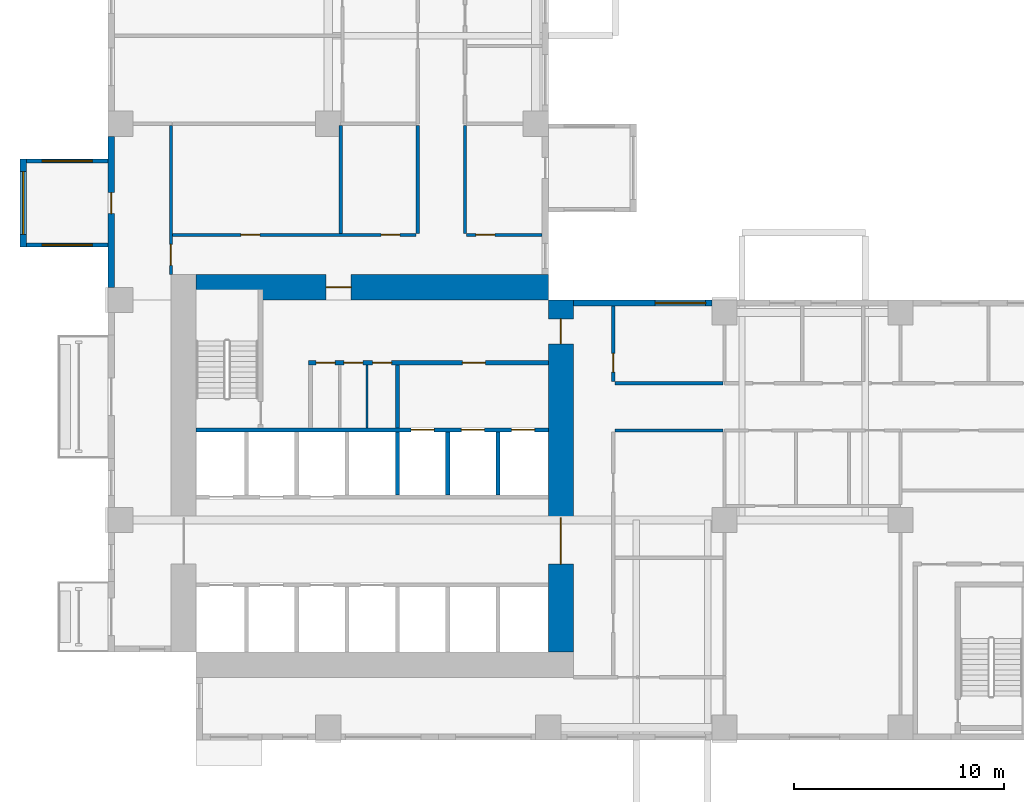
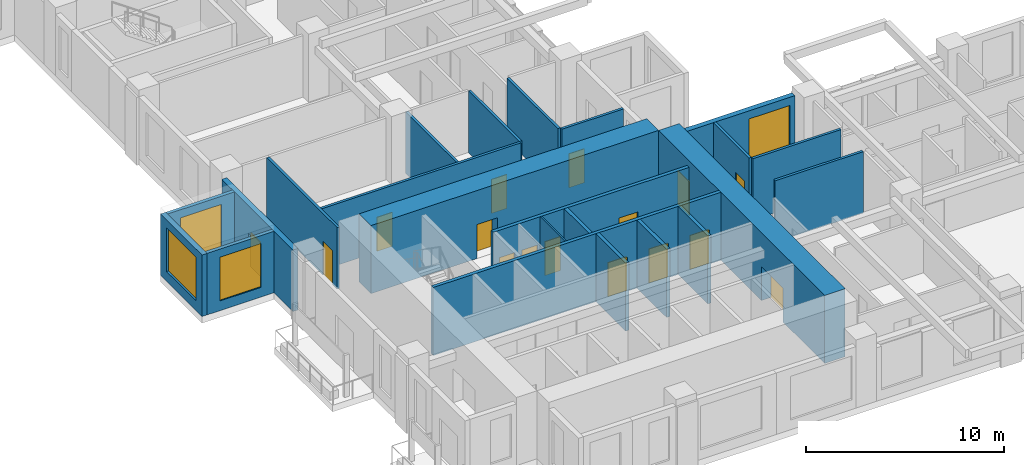
# One storey, part 3 of 15: 23 walls, 16 doors, 4 windows, 20 openings.
"""IFC4 building model written with IfcOpenShell, lengths in metres."""

from ifc_helpers import new_model, si_unit, direction, frame, frame_2d, origin, place, context, subcontext, project, spatial, rectangle, extrude, source, transform, mapped, material, layer, layer_set, type_object, element, fill, save


model = new_model("IFC4")

# Units and contexts
model_context = context("Model", 3, precision=1e-05, world=origin(), true_north=direction((0.0, 1.0)))
body_context = subcontext(model_context, "Body", "Model", "MODEL_VIEW")
ifc_project = project(units=[si_unit("LENGTHUNIT", "METRE"), si_unit("AREAUNIT", "SQUARE_METRE"), si_unit("VOLUMEUNIT", "CUBIC_METRE"), si_unit("PLANEANGLEUNIT", "RADIAN"), si_unit("MASSUNIT", "GRAM", prefix="KILO")], contexts=[model_context])

# Site, building, storey
site_placement = place(None, origin())
site = spatial("IfcSite", under=ifc_project, at=site_placement, CompositionType="ELEMENT")
building_placement = place(site_placement, origin())
building = spatial("IfcBuilding", under=site, at=building_placement, Name="Aurelian Terraces", CompositionType="ELEMENT")
storey_placement = place(building_placement, frame((0.0, 0.0, 61.5)))
storey = spatial("IfcBuildingStorey", under=building, at=storey_placement, Name="L12", CompositionType="ELEMENT", Elevation=61.5)

# Wall, openings, doors
ifc_material_1 = material(Name="Gypsum board on steel studs", Category="steel")
ifc_layer_1 = layer(ifc_material_1, 0.15)
ifc_layer_set_1 = layer_set([ifc_layer_1], Name="Partition 150")
wall_type_1 = type_object("IfcWallType", Name="Partition 150", PredefinedType="PARTITIONING", material=ifc_layer_set_1)
wall_1_placement = place(storey_placement, frame((3.075, 24.1, 0.0), z_axis=(0.0, 0.0, 1.0), x_axis=(1.0, 0.0, 0.0)))
wall_1 = element("IfcWall", 1, at=wall_1_placement, inside=storey, type_object=wall_type_1, Name="Partition", PredefinedType="PARTITIONING", context=body_context, shape_type="SweptSolid", body=[
    extrude(rectangle(XDim=11.625, YDim=0.15, at=frame_2d((5.8125, 0.0))), origin(), (0.0, 0.0, 1.0), 3.8),
])
shared_shape_1 = source(origin(), body_context, "Body", "SweptSolid", [
    extrude(rectangle(XDim=0.9, YDim=2.1, at=frame_2d((0.45, 1.05))), frame((0.0, 0.085, 0.0), z_axis=(0.0, -1.0, 0.0), x_axis=(1.0, 0.0, 0.0)), (0.0, 0.0, 1.0), 0.17),
])
opening_1_placement = place(wall_1_placement, frame((3.2625, 0.0, 0.0)))
opening_1 = element("IfcOpeningElement", 2, at=opening_1_placement, cuts=wall_1, Name="Opening 712029", PredefinedType="OPENING", context=body_context, shape_type="MappedRepresentation", body=[
    mapped(shared_shape_1, transform((0.0, 0.0, 0.0), scale=1.0)),
])
opening_2_placement = place(wall_1_placement, frame((9.95, 0.0, 0.0)))
opening_2 = element("IfcOpeningElement", 3, at=opening_2_placement, cuts=wall_1, Name="Opening 712030", PredefinedType="OPENING", context=body_context, shape_type="MappedRepresentation", body=[
    mapped(shared_shape_1, transform((0.0, 0.0, 0.0), scale=1.0)),
])
ifc_material_2 = material(Name="Timber door leaf", Category="wood")
door_type_1 = type_object("IfcDoorType", Name="Room door 900x2100 right", OperationType="SINGLE_SWING_RIGHT", PredefinedType="DOOR", material=ifc_material_2)
shared_shape_2 = source(origin(), body_context, "Body", "SweptSolid", [
    extrude(rectangle(XDim=0.9, YDim=2.1, at=frame_2d((0.45, 1.05))), frame((0.0, 0.025, 0.0), z_axis=(0.0, -1.0, 0.0), x_axis=(1.0, 0.0, 0.0)), (0.0, 0.0, 1.0), 0.05),
])
door_1_placement = place(opening_1_placement, origin())
door_1 = element("IfcDoor", 4, at=door_1_placement, inside=storey, type_object=door_type_1, Name="Door 712029", OperationType="SINGLE_SWING_RIGHT", OverallHeight=2.1, OverallWidth=0.9, PredefinedType="DOOR", context=body_context, shape_type="MappedRepresentation", body=[
    mapped(shared_shape_2, transform((0.0, 0.0, 0.0), scale=1.0)),
])
fill(opening_1, door_1)
door_type_2 = type_object("IfcDoorType", Name="Room door 900x2100 left", OperationType="SINGLE_SWING_LEFT", PredefinedType="DOOR", material=ifc_material_2)
door_2_placement = place(opening_2_placement, origin())
door_2 = element("IfcDoor", 5, at=door_2_placement, inside=storey, type_object=door_type_2, Name="Door 712030", OperationType="SINGLE_SWING_LEFT", OverallHeight=2.1, OverallWidth=0.9, PredefinedType="DOOR", context=body_context, shape_type="MappedRepresentation", body=[
    mapped(shared_shape_2, transform((0.0, 0.0, 0.0), scale=1.0)),
])
fill(opening_2, door_2)

ifc_material_3 = material(Name="Concrete fc' 83 MPa", Category="concrete")
ifc_layer_2 = layer(ifc_material_3, 1.2)
ifc_layer_set_2 = layer_set([ifc_layer_2], Name="CORE WALL 1200 FC83")
wall_type_2 = type_object("IfcWallType", Name="CORE WALL 1200 FC83", PredefinedType="SHEAR", material=ifc_layer_set_2)
shared_shape_3 = source(origin(), body_context, "Body", "SweptSolid", [
    extrude(rectangle(XDim=16.8, YDim=1.2, at=frame_2d((8.4, 0.0))), origin(), (0.0, 0.0, 1.0), 4.2),
])
wall_2_placement = place(storey_placement, frame((21.6, 4.2, 0.0), z_axis=(0.0, 0.0, 1.0), x_axis=(0.0, 1.0, 0.0)))
wall_2 = element("IfcWall", 6, at=wall_2_placement, inside=storey, type_object=wall_type_2, Name="Core wall E L12", PredefinedType="SHEAR", context=body_context, shape_type="MappedRepresentation", body=[
    mapped(shared_shape_3, transform((0.0, 0.0, 0.0), scale=1.0)),
])
shared_shape_4 = source(origin(), body_context, "Body", "SweptSolid", [
    extrude(rectangle(XDim=2.2, YDim=2.1, at=frame_2d((1.1, 1.05))), frame((0.0, 0.61, 0.0), z_axis=(0.0, -1.0, 0.0), x_axis=(1.0, 0.0, 0.0)), (0.0, 0.0, 1.0), 1.22),
])
opening_3_placement = place(wall_2_placement, frame((4.2, 0.0, 0.0)))
opening_3 = element("IfcOpeningElement", 7, at=opening_3_placement, cuts=wall_2, Name="Opening 61521", PredefinedType="OPENING", context=body_context, shape_type="MappedRepresentation", body=[
    mapped(shared_shape_4, transform((0.0, 0.0, 0.0), scale=1.0)),
])
shared_shape_5 = source(origin(), body_context, "Body", "SweptSolid", [
    extrude(rectangle(XDim=1.2, YDim=2.1, at=frame_2d((0.6, 1.05))), frame((0.0, 0.61, 0.0), z_axis=(0.0, -1.0, 0.0), x_axis=(1.0, 0.0, 0.0)), (0.0, 0.0, 1.0), 1.22),
])
opening_4_placement = place(wall_2_placement, frame((14.7, 0.0, 0.0)))
opening_4 = element("IfcOpeningElement", 8, at=opening_4_placement, cuts=wall_2, Name="Opening 61524", PredefinedType="OPENING", context=body_context, shape_type="MappedRepresentation", body=[
    mapped(shared_shape_5, transform((0.0, 0.0, 0.0), scale=1.0)),
])
ifc_material_4 = material(Name="Steel door leaf", Category="steel")
door_type_3 = type_object("IfcDoorType", Name="Core fire door 1200x2100", OperationType="SINGLE_SWING_LEFT", PredefinedType="DOOR", material=ifc_material_4)
shared_shape_6 = source(origin(), body_context, "Body", "SweptSolid", [
    extrude(rectangle(XDim=1.2, YDim=2.1, at=frame_2d((0.6, 1.05))), frame((0.0, 0.025, 0.0), z_axis=(0.0, -1.0, 0.0), x_axis=(1.0, 0.0, 0.0)), (0.0, 0.0, 1.0), 0.05),
])
door_3_placement = place(opening_4_placement, origin())
door_3 = element("IfcDoor", 9, at=door_3_placement, inside=storey, type_object=door_type_3, Name="Core door 61524", OperationType="SINGLE_SWING_LEFT", OverallHeight=2.1, OverallWidth=1.2, PredefinedType="DOOR", context=body_context, shape_type="MappedRepresentation", body=[
    mapped(shared_shape_6, transform((0.0, 0.0, 0.0), scale=1.0)),
])
fill(opening_4, door_3)
door_type_4 = type_object("IfcDoorType", Name="Core double door 2200x2100", OperationType="DOUBLE_DOOR_SINGLE_SWING", PredefinedType="DOOR", material=ifc_material_4)
shared_shape_7 = source(origin(), body_context, "Body", "SweptSolid", [
    extrude(rectangle(XDim=2.2, YDim=2.1, at=frame_2d((1.1, 1.05))), frame((0.0, 0.025, 0.0), z_axis=(0.0, -1.0, 0.0), x_axis=(1.0, 0.0, 0.0)), (0.0, 0.0, 1.0), 0.05),
])
door_4_placement = place(opening_3_placement, origin())
door_4 = element("IfcDoor", 10, at=door_4_placement, inside=storey, type_object=door_type_4, Name="Core door 61521", OperationType="DOUBLE_DOOR_SINGLE_SWING", OverallHeight=2.1, OverallWidth=2.2, PredefinedType="DOOR", context=body_context, shape_type="MappedRepresentation", body=[
    mapped(shared_shape_7, transform((0.0, 0.0, 0.0), scale=1.0)),
])
fill(opening_3, door_4)

# Wall, opening, door
wall_3_placement = place(storey_placement, frame((4.2, 21.6, 0.0), z_axis=(0.0, 0.0, 1.0), x_axis=(1.0, 0.0, 0.0)))
wall_3 = element("IfcWall", 11, at=wall_3_placement, inside=storey, type_object=wall_type_2, Name="Core wall N L12", PredefinedType="SHEAR", context=body_context, shape_type="MappedRepresentation", body=[
    mapped(shared_shape_3, transform((0.0, 0.0, 0.0), scale=1.0)),
])
opening_5_placement = place(wall_3_placement, frame((6.2, 0.0, 0.0)))
opening_5 = element("IfcOpeningElement", 12, at=opening_5_placement, cuts=wall_3, Name="Opening 61523", PredefinedType="OPENING", context=body_context, shape_type="MappedRepresentation", body=[
    mapped(shared_shape_5, transform((0.0, 0.0, 0.0), scale=1.0)),
])
door_type_5 = type_object("IfcDoorType", Name="Core fire door 1200x2100 right", OperationType="SINGLE_SWING_RIGHT", PredefinedType="DOOR", material=ifc_material_4)
door_5_placement = place(opening_5_placement, origin())
door_5 = element("IfcDoor", 13, at=door_5_placement, inside=storey, type_object=door_type_5, Name="Core door 61523", OperationType="SINGLE_SWING_RIGHT", OverallHeight=2.1, OverallWidth=1.2, PredefinedType="DOOR", context=body_context, shape_type="MappedRepresentation", body=[
    mapped(shared_shape_6, transform((0.0, 0.0, 0.0), scale=1.0)),
])
fill(opening_5, door_5)

ifc_material_5 = material(Name="Terracotta rainscreen cladding", Category="masonry")
ifc_layer_3 = layer(ifc_material_5, 0.3)
ifc_layer_set_3 = layer_set([ifc_layer_3], Name="EW-300")
wall_type_3 = type_object("IfcWallType", Name="EW-300", PredefinedType="STANDARD", material=ifc_layer_set_3)
shared_shape_8 = source(origin(), body_context, "Body", "SweptSolid", [
    extrude(rectangle(XDim=7.2, YDim=0.3, at=frame_2d((3.6, 0.0))), origin(), (0.0, 0.0, 1.0), 3.8),
])
wall_4_placement = place(storey_placement, frame((0.15, 28.8, 0.0), z_axis=(0.0, 0.0, 1.0), x_axis=(0.0, -1.0, 0.0)))
wall_4 = element("IfcWall", 14, at=wall_4_placement, inside=storey, type_object=wall_type_3, Name="External wall L12 F14.38", PredefinedType="STANDARD", context=body_context, shape_type="MappedRepresentation", body=[
    mapped(shared_shape_8, transform((0.0, 0.0, 0.0), scale=1.0)),
])
shared_shape_9 = source(origin(), body_context, "Body", "SweptSolid", [
    extrude(rectangle(XDim=1.0, YDim=2.1, at=frame_2d((0.5, 1.05))), frame((0.0, 0.16, 0.0), z_axis=(0.0, -1.0, 0.0), x_axis=(1.0, 0.0, 0.0)), (0.0, 0.0, 1.0), 0.32),
])
opening_6_placement = place(wall_4_placement, frame((2.68, 0.0, 0.0)))
opening_6 = element("IfcOpeningElement", 15, at=opening_6_placement, cuts=wall_4, Name="Opening 812003", PredefinedType="OPENING", context=body_context, shape_type="MappedRepresentation", body=[
    mapped(shared_shape_9, transform((0.0, 0.0, 0.0), scale=1.0)),
])
door_type_6 = type_object("IfcDoorType", Name="Room door 1000x2100 left", OperationType="SINGLE_SWING_LEFT", PredefinedType="DOOR", material=ifc_material_2)
shared_shape_10 = source(origin(), body_context, "Body", "SweptSolid", [
    extrude(rectangle(XDim=1.0, YDim=2.1, at=frame_2d((0.5, 1.05))), frame((0.0, 0.025, 0.0), z_axis=(0.0, -1.0, 0.0), x_axis=(1.0, 0.0, 0.0)), (0.0, 0.0, 1.0), 0.05),
])
door_6_placement = place(opening_6_placement, origin())
door_6 = element("IfcDoor", 16, at=door_6_placement, inside=storey, type_object=door_type_6, Name="Door 812003", OperationType="SINGLE_SWING_LEFT", OverallHeight=2.1, OverallWidth=1.0, PredefinedType="DOOR", context=body_context, shape_type="MappedRepresentation", body=[
    mapped(shared_shape_10, transform((0.0, 0.0, 0.0), scale=1.0)),
])
fill(opening_6, door_6)

# Wall, opening, window
ifc_material_6 = material(Name="Concrete fc' 40 MPa", Category="concrete")
ifc_layer_4 = layer(ifc_material_6, 0.2)
ifc_layer_set_4 = layer_set([ifc_layer_4], Name="BOX BEARING WALL 200")
wall_type_4 = type_object("IfcWallType", Name="BOX BEARING WALL 200", PredefinedType="SOLIDWALL", material=ifc_layer_set_4)
shared_shape_11 = source(origin(), body_context, "Body", "SweptSolid", [
    extrude(rectangle(XDim=3.9, YDim=0.2, at=frame_2d((1.95, 0.0))), origin(), (0.0, 0.0, 1.0), 3.8),
])
wall_5_placement = place(storey_placement, frame((0.0, 27.62, 0.0), z_axis=(0.0, 0.0, 1.0), x_axis=(-1.0, 0.0, 0.0)))
wall_5 = element("IfcWall", 17, at=wall_5_placement, inside=storey, type_object=wall_type_4, Name="Box return L12 J09.1", PredefinedType="SOLIDWALL", context=body_context, shape_type="MappedRepresentation", body=[
    mapped(shared_shape_11, transform((0.0, 0.0, 0.0), scale=1.0)),
])
shared_shape_12 = source(origin(), body_context, "Body", "SweptSolid", [
    extrude(rectangle(XDim=2.4, YDim=2.7, at=frame_2d((1.2, 1.35))), frame((0.0, 0.11, 0.0), z_axis=(0.0, -1.0, 0.0), x_axis=(1.0, 0.0, 0.0)), (0.0, 0.0, 1.0), 0.22),
])
opening_7_placement = place(wall_5_placement, frame((0.75, 0.0, 0.6)))
opening_7 = element("IfcOpeningElement", 18, at=opening_7_placement, cuts=wall_5, Name="Opening W2427", PredefinedType="OPENING", context=body_context, shape_type="MappedRepresentation", body=[
    mapped(shared_shape_12, transform((0.0, 0.0, 0.0), scale=1.0)),
])
ifc_material_7 = material(Name="Clear glazing", Category="glass")
window_type_1 = type_object("IfcWindowType", Name="W-2400x2700", PartitioningType="SINGLE_PANEL", PredefinedType="WINDOW", material=ifc_material_7)
shared_shape_13 = source(origin(), body_context, "Body", "SweptSolid", [
    extrude(rectangle(XDim=2.4, YDim=2.7, at=frame_2d((1.2, 1.35))), frame((0.0, 0.03, 0.0), z_axis=(0.0, -1.0, 0.0), x_axis=(1.0, 0.0, 0.0)), (0.0, 0.0, 1.0), 0.06),
])
window_1_placement = place(opening_7_placement, origin())
window_1 = element("IfcWindow", 19, at=window_1_placement, inside=storey, type_object=window_type_1, Name="Window L12 J09-S1", OverallHeight=2.7, OverallWidth=2.4, PartitioningType="SINGLE_PANEL", PredefinedType="WINDOW", context=body_context, shape_type="MappedRepresentation", body=[
    mapped(shared_shape_13, transform((0.0, 0.0, 0.0), scale=1.0)),
])
fill(opening_7, window_1)

wall_6_placement = place(storey_placement, frame((0.0, 23.62, 0.0), z_axis=(0.0, 0.0, 1.0), x_axis=(-1.0, 0.0, 0.0)))
wall_6 = element("IfcWall", 20, at=wall_6_placement, inside=storey, type_object=wall_type_4, Name="Box return L12 J09.2", PredefinedType="SOLIDWALL", context=body_context, shape_type="MappedRepresentation", body=[
    mapped(shared_shape_11, transform((0.0, 0.0, 0.0), scale=1.0)),
])
opening_8_placement = place(wall_6_placement, frame((0.75, 0.0, 0.6)))
opening_8 = element("IfcOpeningElement", 21, at=opening_8_placement, cuts=wall_6, Name="Opening W2427", PredefinedType="OPENING", context=body_context, shape_type="MappedRepresentation", body=[
    mapped(shared_shape_12, transform((0.0, 0.0, 0.0), scale=1.0)),
])
window_2_placement = place(opening_8_placement, origin())
window_2 = element("IfcWindow", 22, at=window_2_placement, inside=storey, type_object=window_type_1, Name="Window L12 J09-S2", OverallHeight=2.7, OverallWidth=2.4, PartitioningType="SINGLE_PANEL", PredefinedType="WINDOW", context=body_context, shape_type="MappedRepresentation", body=[
    mapped(shared_shape_13, transform((0.0, 0.0, 0.0), scale=1.0)),
])
fill(opening_8, window_2)

shared_shape_14 = source(origin(), body_context, "Body", "SweptSolid", [
    extrude(rectangle(XDim=6.6, YDim=0.3, at=frame_2d((3.3, 0.0))), origin(), (0.0, 0.0, 1.0), 3.8),
])
wall_7_placement = place(storey_placement, frame((28.8, 20.85, 0.0), z_axis=(0.0, 0.0, 1.0), x_axis=(-1.0, 0.0, 0.0)))
wall_7 = element("IfcWall", 23, at=wall_7_placement, inside=storey, type_object=wall_type_3, Name="External wall L12 F07.23", PredefinedType="STANDARD", context=body_context, shape_type="MappedRepresentation", body=[
    mapped(shared_shape_14, transform((0.0, 0.0, 0.0), scale=1.0)),
])
shared_shape_15 = source(origin(), body_context, "Body", "SweptSolid", [
    extrude(rectangle(XDim=2.4, YDim=2.7, at=frame_2d((1.2, 1.35))), frame((0.0, 0.16, 0.0), z_axis=(0.0, -1.0, 0.0), x_axis=(1.0, 0.0, 0.0)), (0.0, 0.0, 1.0), 0.32),
])
opening_9_placement = place(wall_7_placement, frame((0.3, 0.0, 0.6)))
opening_9 = element("IfcOpeningElement", 24, at=opening_9_placement, cuts=wall_7, Name="Opening W2427", PredefinedType="OPENING", context=body_context, shape_type="MappedRepresentation", body=[
    mapped(shared_shape_15, transform((0.0, 0.0, 0.0), scale=1.0)),
])
window_3_placement = place(opening_9_placement, origin())
window_3 = element("IfcWindow", 25, at=window_3_placement, inside=storey, type_object=window_type_1, Name="Window L12 L12-F07-23-3", OverallHeight=2.7, OverallWidth=2.4, PartitioningType="SINGLE_PANEL", PredefinedType="WINDOW", context=body_context, shape_type="MappedRepresentation", body=[
    mapped(shared_shape_13, transform((0.0, 0.0, 0.0), scale=1.0)),
])
fill(opening_9, window_3)

ifc_layer_5 = layer(ifc_material_6, 0.3)
ifc_layer_set_5 = layer_set([ifc_layer_5], Name="BOX BEARING WALL 300")
wall_type_5 = type_object("IfcWallType", Name="BOX BEARING WALL 300", PredefinedType="SOLIDWALL", material=ifc_layer_set_5)
shared_shape_16 = source(origin(), body_context, "Body", "SweptSolid", [
    extrude(rectangle(XDim=4.2, YDim=0.3, at=frame_2d((2.1, 0.0))), origin(), (0.0, 0.0, 1.0), 3.8),
])
wall_8_placement = place(storey_placement, frame((-4.05, 27.72, 0.0), z_axis=(0.0, 0.0, 1.0), x_axis=(0.0, -1.0, 0.0)))
wall_8 = element("IfcWall", 26, at=wall_8_placement, inside=storey, type_object=wall_type_5, Name="Box wall L12 J09", PredefinedType="SOLIDWALL", context=body_context, shape_type="MappedRepresentation", body=[
    mapped(shared_shape_16, transform((0.0, 0.0, 0.0), scale=1.0)),
])
shared_shape_17 = source(origin(), body_context, "Body", "SweptSolid", [
    extrude(rectangle(XDim=3.0, YDim=2.7, at=frame_2d((1.5, 1.35))), frame((0.0, 0.16, 0.0), z_axis=(0.0, -1.0, 0.0), x_axis=(1.0, 0.0, 0.0)), (0.0, 0.0, 1.0), 0.32),
])
opening_10_placement = place(wall_8_placement, frame((0.6, 0.0, 0.6)))
opening_10 = element("IfcOpeningElement", 27, at=opening_10_placement, cuts=wall_8, Name="Opening W3027", PredefinedType="OPENING", context=body_context, shape_type="MappedRepresentation", body=[
    mapped(shared_shape_17, transform((0.0, 0.0, 0.0), scale=1.0)),
])
window_type_2 = type_object("IfcWindowType", Name="W-3000x2700", PartitioningType="SINGLE_PANEL", PredefinedType="WINDOW", material=ifc_material_7)
shared_shape_18 = source(origin(), body_context, "Body", "SweptSolid", [
    extrude(rectangle(XDim=3.0, YDim=2.7, at=frame_2d((1.5, 1.35))), frame((0.0, 0.03, 0.0), z_axis=(0.0, -1.0, 0.0), x_axis=(1.0, 0.0, 0.0)), (0.0, 0.0, 1.0), 0.06),
])
window_4_placement = place(opening_10_placement, origin())
window_4 = element("IfcWindow", 28, at=window_4_placement, inside=storey, type_object=window_type_2, Name="Window L12 J09-F1", OverallHeight=2.7, OverallWidth=3.0, PartitioningType="SINGLE_PANEL", PredefinedType="WINDOW", context=body_context, shape_type="MappedRepresentation", body=[
    mapped(shared_shape_18, transform((0.0, 0.0, 0.0), scale=1.0)),
])
fill(opening_10, window_4)

# Walls
ifc_layer_6 = layer(ifc_material_6, 0.2)
ifc_layer_set_6 = layer_set([ifc_layer_6], Name="Lift shaft wall 200")
wall_type_6 = type_object("IfcWallType", Name="Lift shaft wall 200", PredefinedType="SOLIDWALL", material=ifc_layer_set_6)
shared_shape_19 = source(origin(), body_context, "Body", "SweptSolid", [
    extrude(rectangle(XDim=3.0, YDim=0.2, at=frame_2d((1.5, 0.0))), origin(), (0.0, 0.0, 1.0), 4.2),
])
for number, where, z_axis, x_axis, name in (
    (29, (13.8, 11.7, 0.0), (0.0, 0.0, 1.0), (0.0, 1.0, 0.0), "L12 core wall CD-B4"),
    (30, (16.2, 11.7, 0.0), (0.0, 0.0, 1.0), (0.0, 1.0, 0.0), "L12 core wall CD-B5"),
    (31, (18.6, 11.7, 0.0), (0.0, 0.0, 1.0), (0.0, 1.0, 0.0), "L12 core wall CD-B6"),
):
    element("IfcWall", number, at=place(storey_placement, frame(where, z_axis=z_axis, x_axis=x_axis)), inside=storey, type_object=wall_type_6, Name=name, PredefinedType="SOLIDWALL", context=body_context, shape_type="MappedRepresentation", body=[
        mapped(shared_shape_19, transform((0.0, 0.0, 0.0), scale=1.0)),
    ])

# Wall, openings, doors
shared_shape_20 = source(origin(), body_context, "Body", "SweptSolid", [
    extrude(rectangle(XDim=16.8, YDim=0.2, at=frame_2d((8.4, 0.0))), origin(), (0.0, 0.0, 1.0), 4.2),
])
wall_9_placement = place(storey_placement, frame((4.2, 14.8, 0.0), z_axis=(0.0, 0.0, 1.0), x_axis=(1.0, 0.0, 0.0)))
wall_9 = element("IfcWall", 32, at=wall_9_placement, inside=storey, type_object=wall_type_6, Name="L12 core wall CF-BB1", PredefinedType="SOLIDWALL", context=body_context, shape_type="MappedRepresentation", body=[
    mapped(shared_shape_20, transform((0.0, 0.0, 0.0), scale=1.0)),
])
shared_shape_21 = source(origin(), body_context, "Body", "SweptSolid", [
    extrude(rectangle(XDim=1.1, YDim=2.1, at=frame_2d((0.55, 1.05))), frame((0.0, 0.11, 0.0), z_axis=(0.0, -1.0, 0.0), x_axis=(1.0, 0.0, 0.0)), (0.0, 0.0, 1.0), 0.22),
])
opening_11_placement = place(wall_9_placement, frame((10.25, 0.0, 0.0)))
opening_11 = element("IfcOpeningElement", 33, at=opening_11_placement, cuts=wall_9, Name="Opening 61507", PredefinedType="OPENING", context=body_context, shape_type="MappedRepresentation", body=[
    mapped(shared_shape_21, transform((0.0, 0.0, 0.0), scale=1.0)),
])
opening_12_placement = place(wall_9_placement, frame((12.65, 0.0, 0.0)))
opening_12 = element("IfcOpeningElement", 34, at=opening_12_placement, cuts=wall_9, Name="Opening 61508", PredefinedType="OPENING", context=body_context, shape_type="MappedRepresentation", body=[
    mapped(shared_shape_21, transform((0.0, 0.0, 0.0), scale=1.0)),
])
opening_13_placement = place(wall_9_placement, frame((15.05, 0.0, 0.0)))
opening_13 = element("IfcOpeningElement", 35, at=opening_13_placement, cuts=wall_9, Name="Opening 61509", PredefinedType="OPENING", context=body_context, shape_type="MappedRepresentation", body=[
    mapped(shared_shape_21, transform((0.0, 0.0, 0.0), scale=1.0)),
])
ifc_material_8 = material(Name="Stainless steel", Category="steel")
door_type_7 = type_object("IfcDoorType", Name="Lift landing door 1100x2100", OperationType="SLIDING_TO_LEFT", PredefinedType="DOOR", material=ifc_material_8)
shared_shape_22 = source(origin(), body_context, "Body", "SweptSolid", [
    extrude(rectangle(XDim=1.1, YDim=2.1, at=frame_2d((0.55, 1.05))), frame((0.0, 0.025, 0.0), z_axis=(0.0, -1.0, 0.0), x_axis=(1.0, 0.0, 0.0)), (0.0, 0.0, 1.0), 0.05),
])
door_7_placement = place(opening_11_placement, origin())
door_7 = element("IfcDoor", 36, at=door_7_placement, inside=storey, type_object=door_type_7, Name="Lift landing door F1 L12", OperationType="SLIDING_TO_LEFT", OverallHeight=2.1, OverallWidth=1.1, PredefinedType="DOOR", context=body_context, shape_type="MappedRepresentation", body=[
    mapped(shared_shape_22, transform((0.0, 0.0, 0.0), scale=1.0)),
])
fill(opening_11, door_7)
door_8_placement = place(opening_12_placement, origin())
door_8 = element("IfcDoor", 37, at=door_8_placement, inside=storey, type_object=door_type_7, Name="Lift landing door F2 L12", OperationType="SLIDING_TO_LEFT", OverallHeight=2.1, OverallWidth=1.1, PredefinedType="DOOR", context=body_context, shape_type="MappedRepresentation", body=[
    mapped(shared_shape_22, transform((0.0, 0.0, 0.0), scale=1.0)),
])
fill(opening_12, door_8)
door_9_placement = place(opening_13_placement, origin())
door_9 = element("IfcDoor", 38, at=door_9_placement, inside=storey, type_object=door_type_7, Name="Lift landing door F3 L12", OperationType="SLIDING_TO_LEFT", OverallHeight=2.1, OverallWidth=1.1, PredefinedType="DOOR", context=body_context, shape_type="MappedRepresentation", body=[
    mapped(shared_shape_22, transform((0.0, 0.0, 0.0), scale=1.0)),
])
fill(opening_13, door_9)

# Walls
ifc_layer_7 = layer(ifc_material_1, 0.2)
ifc_layer_set_7 = layer_set([ifc_layer_7], Name="Core partition 200")
wall_type_7 = type_object("IfcWallType", Name="Core partition 200", PredefinedType="PARTITIONING", material=ifc_layer_set_7)
shared_shape_23 = source(origin(), body_context, "Body", "SweptSolid", [
    extrude(rectangle(XDim=3.0, YDim=0.2, at=frame_2d((1.5, 0.0))), origin(), (0.0, 0.0, 1.0), 3.8),
])
wall_10_placement = place(storey_placement, frame((13.8, 14.9, 0.0), z_axis=(0.0, 0.0, 1.0), x_axis=(0.0, 1.0, 0.0)))
element("IfcWall", 39, at=wall_10_placement, inside=storey, type_object=wall_type_7, Name="L12 core wall CP-FFL", PredefinedType="PARTITIONING", context=body_context, shape_type="MappedRepresentation", body=[
    mapped(shared_shape_23, transform((0.0, 0.0, 0.0), scale=1.0)),
])
ifc_layer_8 = layer(ifc_material_1, 0.1)
ifc_layer_set_8 = layer_set([ifc_layer_8], Name="Core partition 100")
wall_type_8 = type_object("IfcWallType", Name="Core partition 100", PredefinedType="PARTITIONING", material=ifc_layer_set_8)
shared_shape_24 = source(origin(), body_context, "Body", "SweptSolid", [
    extrude(rectangle(XDim=3.0, YDim=0.1, at=frame_2d((1.5, 0.0))), origin(), (0.0, 0.0, 1.0), 3.8),
])
wall_11_placement = place(storey_placement, frame((12.35, 14.9, 0.0), z_axis=(0.0, 0.0, 1.0), x_axis=(0.0, 1.0, 0.0)))
element("IfcWall", 40, at=wall_11_placement, inside=storey, type_object=wall_type_8, Name="L12 core wall CP-SV2", PredefinedType="PARTITIONING", context=body_context, shape_type="MappedRepresentation", body=[
    mapped(shared_shape_24, transform((0.0, 0.0, 0.0), scale=1.0)),
])

# Wall, openings, doors
shared_shape_25 = source(origin(), body_context, "Body", "SweptSolid", [
    extrude(rectangle(XDim=11.45, YDim=0.2, at=frame_2d((5.725, 0.0))), origin(), (0.0, 0.0, 1.0), 3.8),
])
wall_12_placement = place(storey_placement, frame((9.55, 18.0, 0.0), z_axis=(0.0, 0.0, 1.0), x_axis=(1.0, 0.0, 0.0)))
wall_12 = element("IfcWall", 41, at=wall_12_placement, inside=storey, type_object=wall_type_7, Name="L12 core wall CP-NORTH", PredefinedType="PARTITIONING", context=body_context, shape_type="MappedRepresentation", body=[
    mapped(shared_shape_25, transform((0.0, 0.0, 0.0), scale=1.0)),
])
shared_shape_26 = source(origin(), body_context, "Body", "SweptSolid", [
    extrude(rectangle(XDim=0.9, YDim=2.1, at=frame_2d((0.45, 1.05))), frame((0.0, 0.11, 0.0), z_axis=(0.0, -1.0, 0.0), x_axis=(1.0, 0.0, 0.0)), (0.0, 0.0, 1.0), 0.22),
])
opening_14_placement = place(wall_12_placement, frame((0.375, 0.0, 0.0)))
opening_14 = element("IfcOpeningElement", 42, at=opening_14_placement, cuts=wall_12, Name="Opening 61511", PredefinedType="OPENING", context=body_context, shape_type="MappedRepresentation", body=[
    mapped(shared_shape_26, transform((0.0, 0.0, 0.0), scale=1.0)),
])
opening_15_placement = place(wall_12_placement, frame((1.7, 0.0, 0.0)))
opening_15 = element("IfcOpeningElement", 43, at=opening_15_placement, cuts=wall_12, Name="Opening 61512", PredefinedType="OPENING", context=body_context, shape_type="MappedRepresentation", body=[
    mapped(shared_shape_26, transform((0.0, 0.0, 0.0), scale=1.0)),
])
opening_16_placement = place(wall_12_placement, frame((3.075, 0.0, 0.0)))
opening_16 = element("IfcOpeningElement", 44, at=opening_16_placement, cuts=wall_12, Name="Opening 61513", PredefinedType="OPENING", context=body_context, shape_type="MappedRepresentation", body=[
    mapped(shared_shape_26, transform((0.0, 0.0, 0.0), scale=1.0)),
])
opening_17_placement = place(wall_12_placement, frame((7.35, 0.0, 0.0)))
opening_17 = element("IfcOpeningElement", 45, at=opening_17_placement, cuts=wall_12, Name="Opening 61514", PredefinedType="OPENING", context=body_context, shape_type="MappedRepresentation", body=[
    mapped(shared_shape_21, transform((0.0, 0.0, 0.0), scale=1.0)),
])
door_type_8 = type_object("IfcDoorType", Name="Core riser door 900x2100", OperationType="SINGLE_SWING_LEFT", PredefinedType="DOOR", material=ifc_material_4)
door_10_placement = place(opening_14_placement, origin())
door_10 = element("IfcDoor", 46, at=door_10_placement, inside=storey, type_object=door_type_8, Name="Room door 61511", OperationType="SINGLE_SWING_LEFT", OverallHeight=2.1, OverallWidth=0.9, PredefinedType="DOOR", context=body_context, shape_type="MappedRepresentation", body=[
    mapped(shared_shape_2, transform((0.0, 0.0, 0.0), scale=1.0)),
])
fill(opening_14, door_10)
door_type_9 = type_object("IfcDoorType", Name="Core service door 900x2100 right", OperationType="SINGLE_SWING_RIGHT", PredefinedType="DOOR", material=ifc_material_4)
door_11_placement = place(opening_15_placement, origin())
door_11 = element("IfcDoor", 47, at=door_11_placement, inside=storey, type_object=door_type_9, Name="Room door 61512", OperationType="SINGLE_SWING_RIGHT", OverallHeight=2.1, OverallWidth=0.9, PredefinedType="DOOR", context=body_context, shape_type="MappedRepresentation", body=[
    mapped(shared_shape_2, transform((0.0, 0.0, 0.0), scale=1.0)),
])
fill(opening_15, door_11)
door_type_10 = type_object("IfcDoorType", Name="Core service door 900x2100", OperationType="SINGLE_SWING_LEFT", PredefinedType="DOOR", material=ifc_material_4)
door_12_placement = place(opening_16_placement, origin())
door_12 = element("IfcDoor", 48, at=door_12_placement, inside=storey, type_object=door_type_10, Name="Room door 61513", OperationType="SINGLE_SWING_LEFT", OverallHeight=2.1, OverallWidth=0.9, PredefinedType="DOOR", context=body_context, shape_type="MappedRepresentation", body=[
    mapped(shared_shape_2, transform((0.0, 0.0, 0.0), scale=1.0)),
])
fill(opening_16, door_12)
door_type_11 = type_object("IfcDoorType", Name="Core fire door 1100x2100 right", OperationType="SINGLE_SWING_RIGHT", PredefinedType="DOOR", material=ifc_material_4)
door_13_placement = place(opening_17_placement, origin())
door_13 = element("IfcDoor", 49, at=door_13_placement, inside=storey, type_object=door_type_11, Name="Ff lobby door 61514", OperationType="SINGLE_SWING_RIGHT", OverallHeight=2.1, OverallWidth=1.1, PredefinedType="DOOR", context=body_context, shape_type="MappedRepresentation", body=[
    mapped(shared_shape_22, transform((0.0, 0.0, 0.0), scale=1.0)),
])
fill(opening_17, door_13)

# Walls
ifc_layer_9 = layer(ifc_material_1, 0.15)
ifc_layer_set_9 = layer_set([ifc_layer_9], Name="Fire partition 150")
wall_type_9 = type_object("IfcWallType", Name="Fire partition 150", PredefinedType="PARTITIONING", material=ifc_layer_set_9)
shared_shape_27 = source(origin(), body_context, "Body", "SweptSolid", [
    extrude(rectangle(XDim=5.15, YDim=0.15, at=frame_2d((2.575, 0.0))), origin(), (0.0, 0.0, 1.0), 3.8),
])
for number, where, z_axis, x_axis, name in (
    (50, (29.325, 14.775, 0.0), (0.0, 0.0, 1.0), (-1.0, 0.0, 0.0), "Corridor wall"),
    (51, (24.175, 17.025, 0.0), (0.0, 0.0, 1.0), (1.0, 0.0, 0.0), "Corridor wall"),
):
    element("IfcWall", number, at=place(storey_placement, frame(where, z_axis=z_axis, x_axis=x_axis)), inside=storey, type_object=wall_type_9, Name=name, PredefinedType="PARTITIONING", context=body_context, shape_type="MappedRepresentation", body=[
        mapped(shared_shape_27, transform((0.0, 0.0, 0.0), scale=1.0)),
    ])
wall_13_placement = place(storey_placement, frame((11.1, 24.175, 0.0), z_axis=(0.0, 0.0, 1.0), x_axis=(0.0, 1.0, 0.0)))
element("IfcWall", 52, at=wall_13_placement, inside=storey, type_object=wall_type_1, Name="Partition", PredefinedType="PARTITIONING", context=body_context, shape_type="MappedRepresentation", body=[
    mapped(shared_shape_27, transform((0.0, 0.0, 0.0), scale=1.0)),
])
for number, where, z_axis, x_axis, name in (
    (53, (14.775, 24.175, 0.0), (0.0, 0.0, 1.0), (0.0, 1.0, 0.0), "Corridor wall"),
    (54, (17.025, 29.325, 0.0), (0.0, 0.0, 1.0), (0.0, -1.0, 0.0), "Corridor wall"),
):
    element("IfcWall", number, at=place(storey_placement, frame(where, z_axis=z_axis, x_axis=x_axis)), inside=storey, type_object=wall_type_9, Name=name, PredefinedType="PARTITIONING", context=body_context, shape_type="MappedRepresentation", body=[
        mapped(shared_shape_27, transform((0.0, 0.0, 0.0), scale=1.0)),
    ])

# Wall, opening, door
shared_shape_28 = source(origin(), body_context, "Body", "SweptSolid", [
    extrude(rectangle(XDim=3.6, YDim=0.15, at=frame_2d((1.8, 0.0))), origin(), (0.0, 0.0, 1.0), 3.8),
])
wall_14_placement = place(storey_placement, frame((24.1, 20.7, 0.0), z_axis=(0.0, 0.0, 1.0), x_axis=(0.0, -1.0, 0.0)))
wall_14 = element("IfcWall", 55, at=wall_14_placement, inside=storey, type_object=wall_type_1, Name="Partition", PredefinedType="PARTITIONING", context=body_context, shape_type="MappedRepresentation", body=[
    mapped(shared_shape_28, transform((0.0, 0.0, 0.0), scale=1.0)),
])
opening_18_placement = place(wall_14_placement, frame((2.25, 0.0, 0.0)))
opening_18 = element("IfcOpeningElement", 56, at=opening_18_placement, cuts=wall_14, Name="Opening 712003", PredefinedType="OPENING", context=body_context, shape_type="MappedRepresentation", body=[
    mapped(shared_shape_1, transform((0.0, 0.0, 0.0), scale=1.0)),
])
door_14_placement = place(opening_18_placement, origin())
door_14 = element("IfcDoor", 57, at=door_14_placement, inside=storey, type_object=door_type_1, Name="Door 712003", OperationType="SINGLE_SWING_RIGHT", OverallHeight=2.1, OverallWidth=0.9, PredefinedType="DOOR", context=body_context, shape_type="MappedRepresentation", body=[
    mapped(shared_shape_2, transform((0.0, 0.0, 0.0), scale=1.0)),
])
fill(opening_18, door_14)

wall_15_placement = place(storey_placement, frame((17.1, 24.1, 0.0), z_axis=(0.0, 0.0, 1.0), x_axis=(1.0, 0.0, 0.0)))
wall_15 = element("IfcWall", 58, at=wall_15_placement, inside=storey, type_object=wall_type_1, Name="Partition", PredefinedType="PARTITIONING", context=body_context, shape_type="MappedRepresentation", body=[
    mapped(shared_shape_28, transform((0.0, 0.0, 0.0), scale=1.0)),
])
opening_19_placement = place(wall_15_placement, frame((0.45, 0.0, 0.0)))
opening_19 = element("IfcOpeningElement", 59, at=opening_19_placement, cuts=wall_15, Name="Opening 712031", PredefinedType="OPENING", context=body_context, shape_type="MappedRepresentation", body=[
    mapped(shared_shape_1, transform((0.0, 0.0, 0.0), scale=1.0)),
])
door_15_placement = place(opening_19_placement, origin())
door_15 = element("IfcDoor", 60, at=door_15_placement, inside=storey, type_object=door_type_1, Name="Door 712031", OperationType="SINGLE_SWING_RIGHT", OverallHeight=2.1, OverallWidth=0.9, PredefinedType="DOOR", context=body_context, shape_type="MappedRepresentation", body=[
    mapped(shared_shape_2, transform((0.0, 0.0, 0.0), scale=1.0)),
])
fill(opening_19, door_15)

shared_shape_29 = source(origin(), body_context, "Body", "SweptSolid", [
    extrude(rectangle(XDim=7.125, YDim=0.15, at=frame_2d((3.5625, 0.0))), origin(), (0.0, 0.0, 1.0), 3.8),
])
wall_16_placement = place(storey_placement, frame((3.0, 29.325, 0.0), z_axis=(0.0, 0.0, 1.0), x_axis=(0.0, -1.0, 0.0)))
wall_16 = element("IfcWall", 61, at=wall_16_placement, inside=storey, type_object=wall_type_1, Name="Partition", PredefinedType="PARTITIONING", context=body_context, shape_type="MappedRepresentation", body=[
    mapped(shared_shape_29, transform((0.0, 0.0, 0.0), scale=1.0)),
])
shared_shape_30 = source(origin(), body_context, "Body", "SweptSolid", [
    extrude(rectangle(XDim=1.0, YDim=2.1, at=frame_2d((0.5, 1.05))), frame((0.0, 0.085, 0.0), z_axis=(0.0, -1.0, 0.0), x_axis=(1.0, 0.0, 0.0)), (0.0, 0.0, 1.0), 0.17),
])
opening_20_placement = place(wall_16_placement, frame((5.675, 0.0, 0.0)))
opening_20 = element("IfcOpeningElement", 62, at=opening_20_placement, cuts=wall_16, Name="Opening 712032", PredefinedType="OPENING", context=body_context, shape_type="MappedRepresentation", body=[
    mapped(shared_shape_30, transform((0.0, 0.0, 0.0), scale=1.0)),
])
door_16_placement = place(opening_20_placement, origin())
door_16 = element("IfcDoor", 63, at=door_16_placement, inside=storey, type_object=door_type_6, Name="Door 712032", OperationType="SINGLE_SWING_LEFT", OverallHeight=2.1, OverallWidth=1.0, PredefinedType="DOOR", context=body_context, shape_type="MappedRepresentation", body=[
    mapped(shared_shape_10, transform((0.0, 0.0, 0.0), scale=1.0)),
])
fill(opening_20, door_16)

save(model, "model.ifc")
